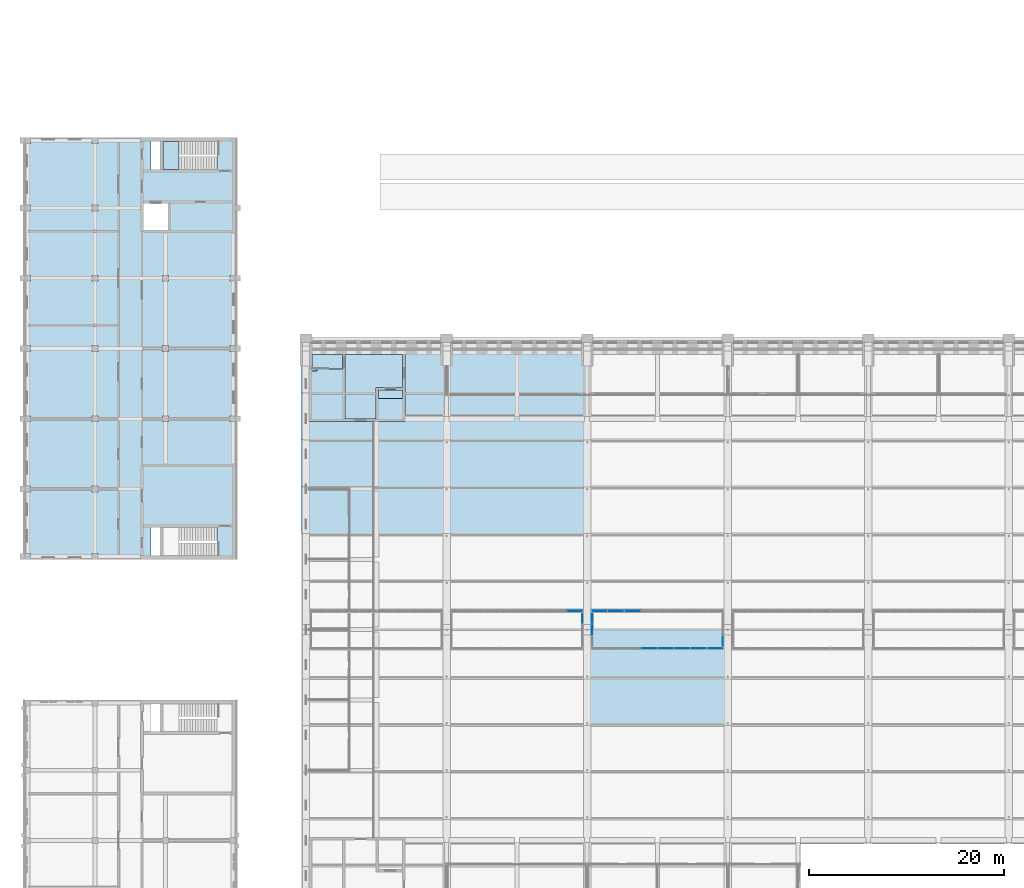
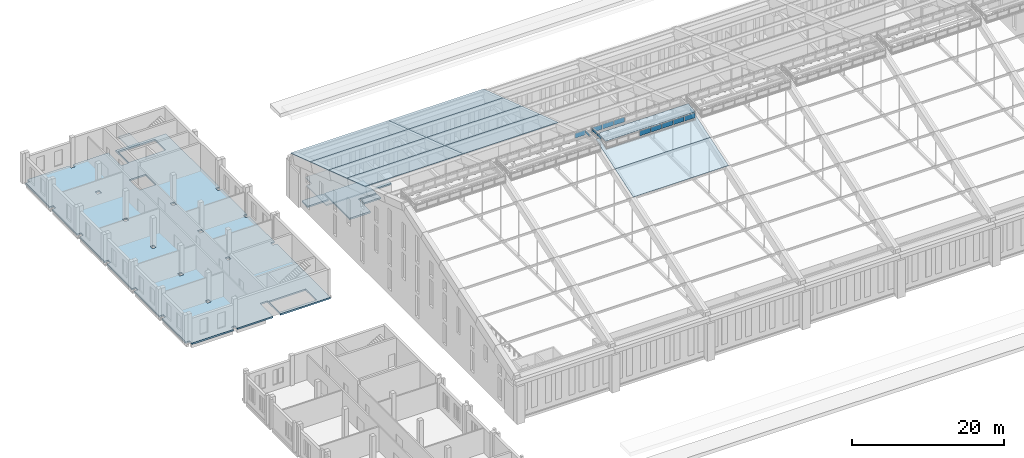
# One storey, part 112 of 149: 16 slabs, 14 plates, 7 elements without a shape of their own.
"""IFC4 building model written with IfcOpenShell, lengths in metres."""

from ifc_helpers import new_model, si_unit, direction, frame, origin, origin_2d, place, context, subcontext, project, spatial, polyline, rectangle, outline, extrude, material, layer, layer_set, type_object, element, aggregate, save


model = new_model("IFC4")

# Units and contexts
model_context = context("Model", 3, precision=1e-05, world=origin(), true_north=direction((0.0, 1.0)))
body_context = subcontext(model_context, "Body", "Model", "MODEL_VIEW")
ifc_project = project(units=[si_unit("LENGTHUNIT", "METRE"), si_unit("AREAUNIT", "SQUARE_METRE"), si_unit("VOLUMEUNIT", "CUBIC_METRE"), si_unit("PLANEANGLEUNIT", "RADIAN"), si_unit("MASSUNIT", "GRAM", prefix="KILO")], contexts=[model_context])

# Site, building, storey
site_placement = place(None, origin())
site = spatial("IfcSite", under=ifc_project, at=site_placement, CompositionType="ELEMENT")
building_placement = place(site_placement, origin())
building = spatial("IfcBuilding", under=site, at=building_placement, Name="Alderwick Market Hall", CompositionType="ELEMENT")
storey_placement = place(building_placement, frame((0.0, 0.0, 9.60009765625)))
storey = spatial("IfcBuildingStorey", under=building, at=storey_placement, Name="L01", CompositionType="ELEMENT", Elevation=9.60009765625)

# Slab
ifc_material_1 = material(Name="Concrete 4000 psi (f'c 28 MPa)", Category="concrete")
ifc_layer_1 = layer(ifc_material_1, 0.25)
ifc_layer_set_1 = layer_set([ifc_layer_1], Name="Concrete 4000 psi (f'c 28 MPa)")
slab_type_1 = type_object("IfcSlabType", Name="B RC Floor Slab 250", PredefinedType="FLOOR", material=ifc_layer_set_1)
slab_1_placement = place(storey_placement, frame((0.0, 0.0, -0.25)))
element("IfcSlab", 1, at=slab_1_placement, inside=storey, type_object=slab_type_1, Name="B.N.slab.L01", PredefinedType="FLOOR", context=body_context, shape_type="SweptSolid", body=[
    extrude(outline(polyline([(35.60009765625, 126.199951171875), (35.60009765625, 129.60009765625), (43.199951171875, 129.60009765625), (43.199951171875, 115.5), (42.60009765625, 115.5), (42.60009765625, 114.89990234375), (43.199951171875, 114.89990234375), (43.199951171875, 108.300048828125), (42.60009765625, 108.300048828125), (42.60009765625, 107.699951171875), (43.199951171875, 107.699951171875), (43.199951171875, 101.10009765625), (42.60009765625, 101.10009765625), (42.60009765625, 100.5), (43.199951171875, 100.5), (43.199951171875, 86.39990234375), (35.60009765625, 86.39990234375), (35.60009765625, 89.800048828125), (34.5, 89.800048828125), (34.5, 86.39990234375), (29.10009765625, 86.39990234375), (29.10009765625, 87.0), (28.5, 87.0), (28.5, 86.39990234375), (22.199951171875, 86.39990234375), (22.199951171875, 87.0), (21.60009765625, 87.0), (21.60009765625, 93.300048828125), (22.199951171875, 93.300048828125), (22.199951171875, 93.89990234375), (21.60009765625, 93.89990234375), (21.60009765625, 100.5), (22.199951171875, 100.5), (22.199951171875, 101.10009765625), (21.60009765625, 101.10009765625), (21.60009765625, 107.699951171875), (22.199951171875, 107.699951171875), (22.199951171875, 108.300048828125), (21.60009765625, 108.300048828125), (21.60009765625, 114.89990234375), (22.199951171875, 114.89990234375), (22.199951171875, 115.5), (21.60009765625, 115.5), (21.60009765625, 122.10009765625), (22.199951171875, 122.10009765625), (22.199951171875, 122.699951171875), (21.60009765625, 122.699951171875), (21.60009765625, 129.0), (22.199951171875, 129.0), (22.199951171875, 129.60009765625), (28.5, 129.60009765625), (28.5, 129.0), (29.10009765625, 129.0), (29.10009765625, 129.60009765625), (34.5, 129.60009765625), (34.5, 126.199951171875), (35.60009765625, 126.199951171875)]), holes=[polyline([(29.10009765625, 122.699951171875), (28.5, 122.699951171875), (28.5, 122.10009765625), (29.10009765625, 122.10009765625), (29.10009765625, 122.699951171875)]), polyline([(29.10009765625, 114.89990234375), (29.10009765625, 115.5), (28.5, 115.5), (28.5, 114.89990234375), (29.10009765625, 114.89990234375)]), polyline([(28.5, 107.699951171875), (29.10009765625, 107.699951171875), (29.10009765625, 108.300048828125), (28.5, 108.300048828125), (28.5, 107.699951171875)]), polyline([(28.5, 101.10009765625), (28.5, 100.5), (29.10009765625, 100.5), (29.10009765625, 101.10009765625), (28.5, 101.10009765625)]), polyline([(29.10009765625, 93.89990234375), (28.5, 93.89990234375), (28.5, 93.300048828125), (29.10009765625, 93.300048828125), (29.10009765625, 93.89990234375)]), polyline([(35.699951171875, 114.89990234375), (36.300048828125, 114.89990234375), (36.300048828125, 115.5), (35.699951171875, 115.5), (35.699951171875, 114.89990234375)]), polyline([(35.699951171875, 108.300048828125), (35.699951171875, 107.699951171875), (36.300048828125, 107.699951171875), (36.300048828125, 108.300048828125), (35.699951171875, 108.300048828125)]), polyline([(36.300048828125, 101.10009765625), (35.699951171875, 101.10009765625), (35.699951171875, 100.5), (36.300048828125, 100.5), (36.300048828125, 101.10009765625)]), polyline([(41.2900390625, 129.199951171875), (35.75, 129.199951171875), (35.75, 126.35009765625), (41.2900390625, 126.35009765625), (41.2900390625, 129.199951171875)]), polyline([(36.25, 120.14990234375), (36.25, 122.85009765625), (33.75, 122.85009765625), (33.75, 120.14990234375), (36.25, 120.14990234375)]), polyline([(35.75, 89.64990234375), (35.75, 86.800048828125), (41.2900390625, 86.800048828125), (41.2900390625, 89.64990234375), (35.75, 89.64990234375)])]), origin(), (0.0, 0.0, 1.0), 0.25),
])

# Stair, slab
ifc_material_2 = material(Name="Concrete 5000 psi (f'c 35 MPa)", Category="concrete")
stair_type = type_object("IfcStairType", Name="B Exit Stair 1300", PredefinedType="TWO_STRAIGHT_RUN_STAIR", material=ifc_material_2)
stair_placement = place(storey_placement, origin())
stair = element("IfcStair", 2, at=stair_placement, inside=storey, type_object=stair_type, Name="Stair N-1 L01", PredefinedType="TWO_STRAIGHT_RUN_STAIR")
ifc_layer_2 = layer(ifc_material_2, 0.199951171875)
ifc_layer_set_2 = layer_set([ifc_layer_2], Name="Concrete 5000 psi (f'c 35 MPa)")
slab_type_2 = type_object("IfcSlabType", Name="B Stair Landing 200", PredefinedType="LANDING", material=ifc_layer_set_2)
slab_2_placement = place(storey_placement, frame((0.0, 0.0, 2.199951171875)))
slab_2 = element("IfcSlab", 3, at=slab_2_placement, type_object=slab_type_2, Name="B-ST-N-1-L01 landing 1", PredefinedType="LANDING", context=body_context, shape_type="SweptSolid", body=[
    extrude(outline(polyline([(35.75, 129.199951171875), (37.3798828125, 129.199951171875), (37.3798828125, 126.35009765625), (35.75, 126.35009765625), (35.75, 129.199951171875)])), origin(), (0.0, 0.0, 1.0), 0.199951171875),
])
aggregate(stair, [slab_2])

# Slabs
ifc_layer_3 = layer(ifc_material_1, 0.199951171875)
ifc_layer_set_3 = layer_set([ifc_layer_3], Name="Concrete 4000 psi (f'c 28 MPa)")
slab_type_3 = type_object("IfcSlabType", Name="H Core roof slab 200", PredefinedType="ROOF", material=ifc_layer_set_3)
slab_3_placement = place(storey_placement, frame((0.0, 0.0, 3.39990234375)))
element("IfcSlab", 4, at=slab_3_placement, inside=storey, type_object=slab_type_3, Name="Core roof H-NW", PredefinedType="ROOF", context=body_context, shape_type="SweptSolid", body=[
    extrude(outline(polyline([(60.550048828125, 107.39990234375), (60.550048828125, 100.510009765625), (50.699951171875, 100.510009765625), (50.699951171875, 105.699951171875), (51.5, 105.699951171875), (51.5, 107.39990234375), (60.550048828125, 107.39990234375)])), origin(), (0.0, 0.0, 1.0), 0.199951171875),
])
ifc_layer_4 = layer(ifc_material_1, 0.25)
ifc_layer_set_4 = layer_set([ifc_layer_4], Name="Concrete 4000 psi (f'c 28 MPa)")
slab_type_4 = type_object("IfcSlabType", Name="H Gallery slab 250", PredefinedType="FLOOR", material=ifc_layer_set_4)
slab_4_placement = place(storey_placement, frame((0.0, 0.0, -0.25)))
element("IfcSlab", 5, at=slab_4_placement, inside=storey, type_object=slab_type_4, Name="Core floor H-NW L01", PredefinedType="FLOOR", context=body_context, shape_type="SweptSolid", body=[
    extrude(outline(polyline([(57.550048828125, 100.760009765625), (54.39990234375, 100.760009765625), (54.39990234375, 107.39990234375), (60.300048828125, 107.39990234375), (60.300048828125, 104.010009765625), (57.550048828125, 104.010009765625), (57.550048828125, 100.760009765625)])), origin(), (0.0, 0.0, 1.0), 0.25),
])
slab_5_placement = place(storey_placement, frame((0.0, 0.0, -0.25)))
element("IfcSlab", 6, at=slab_5_placement, inside=storey, type_object=slab_type_4, Name="Core floor H-NW L01", PredefinedType="FLOOR", context=body_context, shape_type="SweptSolid", body=[
    extrude(outline(polyline([(60.300048828125, 103.760009765625), (60.300048828125, 102.860107421875), (57.800048828125, 102.860107421875), (57.800048828125, 103.760009765625), (60.300048828125, 103.760009765625)])), origin(), (0.0, 0.0, 1.0), 0.25),
])
slab_6_placement = place(storey_placement, frame((0.0, 0.0, -0.25)))
element("IfcSlab", 7, at=slab_6_placement, inside=storey, type_object=slab_type_4, Name="Core floor H-NW L01", PredefinedType="FLOOR", context=body_context, shape_type="SweptSolid", body=[
    extrude(outline(polyline([(51.0, 105.89990234375), (51.0, 107.39990234375), (54.14990234375, 107.39990234375), (54.14990234375, 105.89990234375), (51.0, 105.89990234375)])), origin(), (0.0, 0.0, 1.0), 0.25),
])

# Curtain wall, plate
ifc_material_3 = material(Name="Aluminium", Category="aluminium")
curtain_wall_type = type_object("IfcCurtainWallType", Name="R Curtain Wall Frame", PredefinedType="NOTDEFINED", material=ifc_material_3)
curtain_wall_1_placement = place(storey_placement, origin())
curtain_wall_1 = element("IfcCurtainWall", 8, at=curtain_wall_1_placement, inside=storey, type_object=curtain_wall_type, Name="Curtain wall LCW N2", PredefinedType="NOTDEFINED")
ifc_material_4 = material(Name="Glass 8+8 mm PVB interlayer", Category="glass")
ifc_layer_5 = layer(ifc_material_4, 0.028076171875)
ifc_layer_set_5 = layer_set([ifc_layer_5], Name="Glass 8+8 mm PVB interlayer")
plate_type_1 = type_object("IfcPlateType", Name="R CW Panel IGU 28", PredefinedType="CURTAIN_PANEL", material=ifc_layer_set_5)
plate_1_placement = place(storey_placement, frame((77.93505859375, 81.10009765625, 16.7900390625), z_axis=(0.0, 0.0, 1.0), x_axis=(1.0, 0.0, 0.0)))
plate_1 = element("IfcPlate", 9, at=plate_1_placement, type_object=plate_type_1, Name="LCW N2 panel 8.1", PredefinedType="CURTAIN_PANEL", context=body_context, shape_type="SweptSolid", body=[
    extrude(rectangle(XDim=1.610107421875, YDim=0.028076171875, at=origin_2d()), origin(), (0.0, 0.0, 1.0), 0.789794921875),
])
aggregate(curtain_wall_1, [plate_1])

curtain_wall_2_placement = place(storey_placement, origin())
curtain_wall_2 = element("IfcCurtainWall", 10, at=curtain_wall_2_placement, inside=storey, type_object=curtain_wall_type, Name="Curtain wall LCW E2", PredefinedType="NOTDEFINED")
plate_2_placement = place(storey_placement, frame((78.699951171875, 80.385009765625, 17.21337890625), z_axis=(0.0, 0.0, 1.0), x_axis=(1.0, 0.0, 0.0)))
plate_2 = element("IfcPlate", 11, at=plate_2_placement, type_object=plate_type_1, Name="LCW E2 panel 3.1", PredefinedType="CURTAIN_PANEL", context=body_context, shape_type="SweptSolid", body=[
    extrude(rectangle(XDim=0.028076171875, YDim=1.110107421875, at=origin_2d()), origin(), (0.0, 0.0, 1.0), 0.366455078125),
])
aggregate(curtain_wall_2, [plate_2])

# Curtain wall, plates
curtain_wall_3_placement = place(storey_placement, origin())
curtain_wall_3 = element("IfcCurtainWall", 12, at=curtain_wall_3_placement, inside=storey, type_object=curtain_wall_type, Name="Curtain wall LCW S3", PredefinedType="NOTDEFINED")
plate_3_placement = place(storey_placement, frame((85.550048828125, 77.300048828125, 16.7900390625), z_axis=(0.0, 0.0, 1.0), x_axis=(1.0, 0.0, 0.0)))
plate_3 = element("IfcPlate", 13, at=plate_3_placement, type_object=plate_type_1, Name="LCW S3 panel 4.1", PredefinedType="CURTAIN_PANEL", context=body_context, shape_type="SweptSolid", body=[
    extrude(rectangle(XDim=1.639892578125, YDim=0.028076171875, at=origin_2d()), origin(), (0.0, 0.0, 1.0), 0.789794921875),
])
plate_4_placement = place(storey_placement, frame((87.25, 77.300048828125, 16.7900390625), z_axis=(0.0, 0.0, 1.0), x_axis=(1.0, 0.0, 0.0)))
plate_4 = element("IfcPlate", 14, at=plate_4_placement, type_object=plate_type_1, Name="LCW S3 panel 5.1", PredefinedType="CURTAIN_PANEL", context=body_context, shape_type="SweptSolid", body=[
    extrude(rectangle(XDim=1.639892578125, YDim=0.028076171875, at=origin_2d()), origin(), (0.0, 0.0, 1.0), 0.789794921875),
])
plate_5_placement = place(storey_placement, frame((88.949951171875, 77.300048828125, 16.7900390625), z_axis=(0.0, 0.0, 1.0), x_axis=(1.0, 0.0, 0.0)))
plate_5 = element("IfcPlate", 15, at=plate_5_placement, type_object=plate_type_1, Name="LCW S3 panel 6.1", PredefinedType="CURTAIN_PANEL", context=body_context, shape_type="SweptSolid", body=[
    extrude(rectangle(XDim=1.639892578125, YDim=0.028076171875, at=origin_2d()), origin(), (0.0, 0.0, 1.0), 0.789794921875),
])
plate_6_placement = place(storey_placement, frame((90.64990234375, 77.300048828125, 16.7900390625), z_axis=(0.0, 0.0, 1.0), x_axis=(1.0, 0.0, 0.0)))
plate_6 = element("IfcPlate", 16, at=plate_6_placement, type_object=plate_type_1, Name="LCW S3 panel 7.1", PredefinedType="CURTAIN_PANEL", context=body_context, shape_type="SweptSolid", body=[
    extrude(rectangle(XDim=1.639892578125, YDim=0.028076171875, at=origin_2d()), origin(), (0.0, 0.0, 1.0), 0.789794921875),
])
plate_7_placement = place(storey_placement, frame((92.3349609375, 77.300048828125, 16.7900390625), z_axis=(0.0, 0.0, 1.0), x_axis=(1.0, 0.0, 0.0)))
plate_7 = element("IfcPlate", 17, at=plate_7_placement, type_object=plate_type_1, Name="LCW S3 panel 8.1", PredefinedType="CURTAIN_PANEL", context=body_context, shape_type="SweptSolid", body=[
    extrude(rectangle(XDim=1.610107421875, YDim=0.028076171875, at=origin_2d()), origin(), (0.0, 0.0, 1.0), 0.789794921875),
])

curtain_wall_4_placement = place(storey_placement, origin())
curtain_wall_4 = element("IfcCurtainWall", 18, at=curtain_wall_4_placement, inside=storey, type_object=curtain_wall_type, Name="Curtain wall LCW N3", PredefinedType="NOTDEFINED")
plate_8_placement = place(storey_placement, frame((80.465087890625, 81.10009765625, 16.7900390625), z_axis=(0.0, 0.0, 1.0), x_axis=(1.0, 0.0, 0.0)))
plate_8 = element("IfcPlate", 19, at=plate_8_placement, type_object=plate_type_1, Name="LCW N3 panel 1.1", PredefinedType="CURTAIN_PANEL", context=body_context, shape_type="SweptSolid", body=[
    extrude(rectangle(XDim=1.610107421875, YDim=0.028076171875, at=origin_2d()), origin(), (0.0, 0.0, 1.0), 0.789794921875),
])
plate_9_placement = place(storey_placement, frame((82.14990234375, 81.10009765625, 16.7900390625), z_axis=(0.0, 0.0, 1.0), x_axis=(1.0, 0.0, 0.0)))
plate_9 = element("IfcPlate", 20, at=plate_9_placement, type_object=plate_type_1, Name="LCW N3 panel 2.1", PredefinedType="CURTAIN_PANEL", context=body_context, shape_type="SweptSolid", body=[
    extrude(rectangle(XDim=1.639892578125, YDim=0.028076171875, at=origin_2d()), origin(), (0.0, 0.0, 1.0), 0.789794921875),
])
plate_10_placement = place(storey_placement, frame((83.85009765625, 81.10009765625, 16.7900390625), z_axis=(0.0, 0.0, 1.0), x_axis=(1.0, 0.0, 0.0)))
plate_10 = element("IfcPlate", 21, at=plate_10_placement, type_object=plate_type_1, Name="LCW N3 panel 3.1", PredefinedType="CURTAIN_PANEL", context=body_context, shape_type="SweptSolid", body=[
    extrude(rectangle(XDim=1.639892578125, YDim=0.028076171875, at=origin_2d()), origin(), (0.0, 0.0, 1.0), 0.789794921875),
])
aggregate(curtain_wall_4, [plate_8, plate_9, plate_10])

curtain_wall_5_placement = place(storey_placement, origin())
curtain_wall_5 = element("IfcCurtainWall", 22, at=curtain_wall_5_placement, inside=storey, type_object=curtain_wall_type, Name="Curtain wall LCW W3", PredefinedType="NOTDEFINED")
plate_11_placement = place(storey_placement, frame((79.699951171875, 79.199951171875, 17.2333984375), z_axis=(0.0, 0.0, 1.0), x_axis=(1.0, 0.0, 0.0)))
plate_11 = element("IfcPlate", 23, at=plate_11_placement, type_object=plate_type_1, Name="LCW W3 panel 2.1", PredefinedType="CURTAIN_PANEL", context=body_context, shape_type="SweptSolid", body=[
    extrude(rectangle(XDim=0.028076171875, YDim=1.139892578125, at=origin_2d()), origin(), (0.0, 0.0, 1.0), 0.346435546875),
])
plate_12_placement = place(storey_placement, frame((79.699951171875, 80.385009765625, 17.21337890625), z_axis=(0.0, 0.0, 1.0), x_axis=(1.0, 0.0, 0.0)))
plate_12 = element("IfcPlate", 24, at=plate_12_placement, type_object=plate_type_1, Name="LCW W3 panel 3.1", PredefinedType="CURTAIN_PANEL", context=body_context, shape_type="SweptSolid", body=[
    extrude(rectangle(XDim=0.028076171875, YDim=1.110107421875, at=origin_2d()), origin(), (0.0, 0.0, 1.0), 0.366455078125),
])
aggregate(curtain_wall_5, [plate_11, plate_12])

# Curtain wall, plate
curtain_wall_6_placement = place(storey_placement, origin())
curtain_wall_6 = element("IfcCurtainWall", 25, at=curtain_wall_6_placement, inside=storey, type_object=curtain_wall_type, Name="Curtain wall LCW E3", PredefinedType="NOTDEFINED")
plate_13_placement = place(storey_placement, frame((93.10009765625, 78.014892578125, 17.21337890625), z_axis=(0.0, 0.0, 1.0), x_axis=(1.0, 0.0, 0.0)))
plate_13 = element("IfcPlate", 26, at=plate_13_placement, type_object=plate_type_1, Name="LCW E3 panel 1.1", PredefinedType="CURTAIN_PANEL", context=body_context, shape_type="SweptSolid", body=[
    extrude(rectangle(XDim=0.028076171875, YDim=1.110107421875, at=origin_2d()), origin(), (0.0, 0.0, 1.0), 0.366455078125),
])
aggregate(curtain_wall_6, [plate_13])

# Plate
ifc_layer_6 = layer(ifc_material_4, 0.030029296875)
ifc_layer_set_6 = layer_set([ifc_layer_6], Name="Glass 8+8 mm PVB interlayer")
plate_type_2 = type_object("IfcPlateType", Name="R Lantern Glazing 30 mm", PredefinedType="CURTAIN_PANEL", material=ifc_layer_set_6)
plate_14_placement = place(storey_placement, frame((79.60009765625, 77.2978515625, 17.729736328125), z_axis=(0.0, -0.073560127213, 0.997290783916), x_axis=(1.0, 0.0, 0.0)))
plate_14 = element("IfcPlate", 27, at=plate_14_placement, type_object=plate_type_2, Name="Lantern glazed roof S3", PredefinedType="CURTAIN_PANEL", context=body_context, shape_type="SweptSolid", body=[
    extrude(outline(polyline([(0.0, 0.0), (13.599853515625, 0.0), (13.599853515625, 1.905063572621334), (0.0, 1.905063572621334), (0.0, 0.0)])), origin(), (0.0, 0.0, -1.0), 0.030029296875),
])

aggregate(curtain_wall_3, [plate_3, plate_4, plate_5, plate_6, plate_7, plate_14])

# Slabs
ifc_material_5 = material(Name="Steel ASTM A653 Grade 50 roof deck", Category="steel")
ifc_layer_7 = layer(ifc_material_5, 0.080078125)
ifc_layer_set_7 = layer_set([ifc_layer_7], Name="Steel ASTM A653 Grade 50 roof deck")
slab_type_5 = type_object("IfcSlabType", Name="R Roof Deck 80 mm", PredefinedType="ROOF", material=ifc_layer_set_7)
slab_7_placement = place(storey_placement, frame((49.949951171875, 89.0625, 13.787353515625), z_axis=(0.0, 0.316242241517, 0.948678472761), x_axis=(1.0, 0.0, 0.0)))
element("IfcSlab", 28, at=slab_7_placement, inside=storey, type_object=slab_type_5, Name="Roof deck 1.9", PredefinedType="ROOF", context=body_context, shape_type="SweptSolid", body=[
    extrude(outline(polyline([(0.0, 0.0), (14.85009765625, 0.0), (14.85009765625, 5.059721460902856), (0.0, 5.059721460902856), (0.0, 0.0)])), origin(), (0.0, 0.0, -1.0), 0.080078125),
])
slab_8_placement = place(storey_placement, frame((49.949951171875, 93.862548828125, 12.187255859375), z_axis=(0.0, 0.316213289559, 0.948688123414), x_axis=(1.0, 0.0, 0.0)))
element("IfcSlab", 29, at=slab_8_placement, inside=storey, type_object=slab_type_5, Name="Roof deck 1.10", PredefinedType="ROOF", context=body_context, shape_type="SweptSolid", body=[
    extrude(outline(polyline([(0.0, 0.0), (14.85009765625, 0.0), (14.85009765625, 5.059412644725142), (0.0, 5.059412644725142), (0.0, 0.0)])), origin(), (0.0, 0.0, -1.0), 0.080078125),
])
slab_9_placement = place(storey_placement, frame((49.949951171875, 98.662353515625, 10.58740234375), z_axis=(0.0, 0.316242241517, 0.948678472761), x_axis=(1.0, 0.0, 0.0)))
element("IfcSlab", 30, at=slab_9_placement, inside=storey, type_object=slab_type_5, Name="Roof deck 1.11", PredefinedType="ROOF", context=body_context, shape_type="SweptSolid", body=[
    extrude(outline(polyline([(0.0, 0.0), (14.85009765625, 0.0), (14.85009765625, 5.059721460902856), (0.0, 5.059721460902856), (0.0, 0.0)])), origin(), (0.0, 0.0, -1.0), 0.080078125),
])
slab_10_placement = place(storey_placement, frame((49.949951171875, 103.46240234375, 8.9873046875), z_axis=(0.0, 0.316227766017, 0.948683298051), x_axis=(1.0, 0.0, 0.0)))
element("IfcSlab", 31, at=slab_10_placement, inside=storey, type_object=slab_type_5, Name="Roof deck 1.12", PredefinedType="ROOF", context=body_context, shape_type="SweptSolid", body=[
    extrude(outline(polyline([(0.0, 0.0), (14.85009765625, 0.0), (14.85009765625, 5.442113092413796), (0.0, 5.442113092413796), (0.0, 0.0)])), origin(), (0.0, 0.0, -1.0), 0.080078125),
])
slab_11_placement = place(storey_placement, frame((64.800048828125, 89.0625, 13.787353515625), z_axis=(0.0, 0.316242241517, 0.948678472761), x_axis=(1.0, 0.0, 0.0)))
element("IfcSlab", 32, at=slab_11_placement, inside=storey, type_object=slab_type_5, Name="Roof deck 2.9", PredefinedType="ROOF", context=body_context, shape_type="SweptSolid", body=[
    extrude(outline(polyline([(0.0, 0.0), (14.39990234375, 0.0), (14.39990234375, 5.059721460902856), (0.0, 5.059721460902856), (0.0, 0.0)])), origin(), (0.0, 0.0, -1.0), 0.080078125),
])
slab_12_placement = place(storey_placement, frame((64.800048828125, 93.862548828125, 12.187255859375), z_axis=(0.0, 0.316213289559, 0.948688123414), x_axis=(1.0, 0.0, 0.0)))
element("IfcSlab", 33, at=slab_12_placement, inside=storey, type_object=slab_type_5, Name="Roof deck 2.10", PredefinedType="ROOF", context=body_context, shape_type="SweptSolid", body=[
    extrude(outline(polyline([(0.0, 0.0), (14.39990234375, 0.0), (14.39990234375, 5.059412644725141), (0.0, 5.059412644725141), (0.0, 0.0)])), origin(), (0.0, 0.0, -1.0), 0.080078125),
])
slab_13_placement = place(storey_placement, frame((64.800048828125, 98.662353515625, 10.58740234375), z_axis=(0.0, 0.316242241517, 0.948678472761), x_axis=(1.0, 0.0, 0.0)))
element("IfcSlab", 34, at=slab_13_placement, inside=storey, type_object=slab_type_5, Name="Roof deck 2.11", PredefinedType="ROOF", context=body_context, shape_type="SweptSolid", body=[
    extrude(outline(polyline([(0.0, 0.0), (14.39990234375, 0.0), (14.39990234375, 5.059721460902856), (0.0, 5.059721460902856), (0.0, 0.0)])), origin(), (0.0, 0.0, -1.0), 0.080078125),
])
slab_14_placement = place(storey_placement, frame((64.800048828125, 103.46240234375, 8.9873046875), z_axis=(0.0, 0.316227766017, 0.948683298051), x_axis=(1.0, 0.0, 0.0)))
element("IfcSlab", 35, at=slab_14_placement, inside=storey, type_object=slab_type_5, Name="Roof deck 2.12", PredefinedType="ROOF", context=body_context, shape_type="SweptSolid", body=[
    extrude(outline(polyline([(0.0, 0.0), (14.39990234375, 0.0), (14.39990234375, 5.442113092413796), (0.0, 5.442113092413796), (0.0, 0.0)])), origin(), (0.0, 0.0, -1.0), 0.080078125),
])
slab_15_placement = place(storey_placement, frame((79.199951171875, 69.337646484375, 13.787353515625), z_axis=(0.0, -0.316213289559, 0.948688123414), x_axis=(1.0, 0.0, 0.0)))
element("IfcSlab", 36, at=slab_15_placement, inside=storey, type_object=slab_type_5, Name="Roof deck 3.5", PredefinedType="ROOF", context=body_context, shape_type="SweptSolid", body=[
    extrude(outline(polyline([(0.0, 0.0), (14.400146484375, 0.0), (14.400146484375, 5.059412644725141), (0.0, 5.059412644725141), (0.0, 0.0)])), origin(), (0.0, 0.0, -1.0), 0.080078125),
])
slab_16_placement = place(storey_placement, frame((79.199951171875, 74.137451171875, 15.38720703125), z_axis=(0.0, -0.316227766017, 0.948683298051), x_axis=(1.0, 0.0, 0.0)))
element("IfcSlab", 37, at=slab_16_placement, inside=storey, type_object=slab_type_5, Name="Roof deck 3.6", PredefinedType="ROOF", context=body_context, shape_type="SweptSolid", body=[
    extrude(outline(polyline([(0.0, 0.0), (14.400146484375, 0.0), (14.400146484375, 5.336343551534141), (13.800048828125, 5.336343551534141), (13.800048828125, 3.4124187641465427), (0.60009765625, 3.4124187641465427), (0.60009765625, 5.336343551534141), (0.0, 5.336343551534141), (0.0, 0.0)])), origin(), (0.0, 0.0, -1.0), 0.080078125),
])

save(model, "model.ifc")
